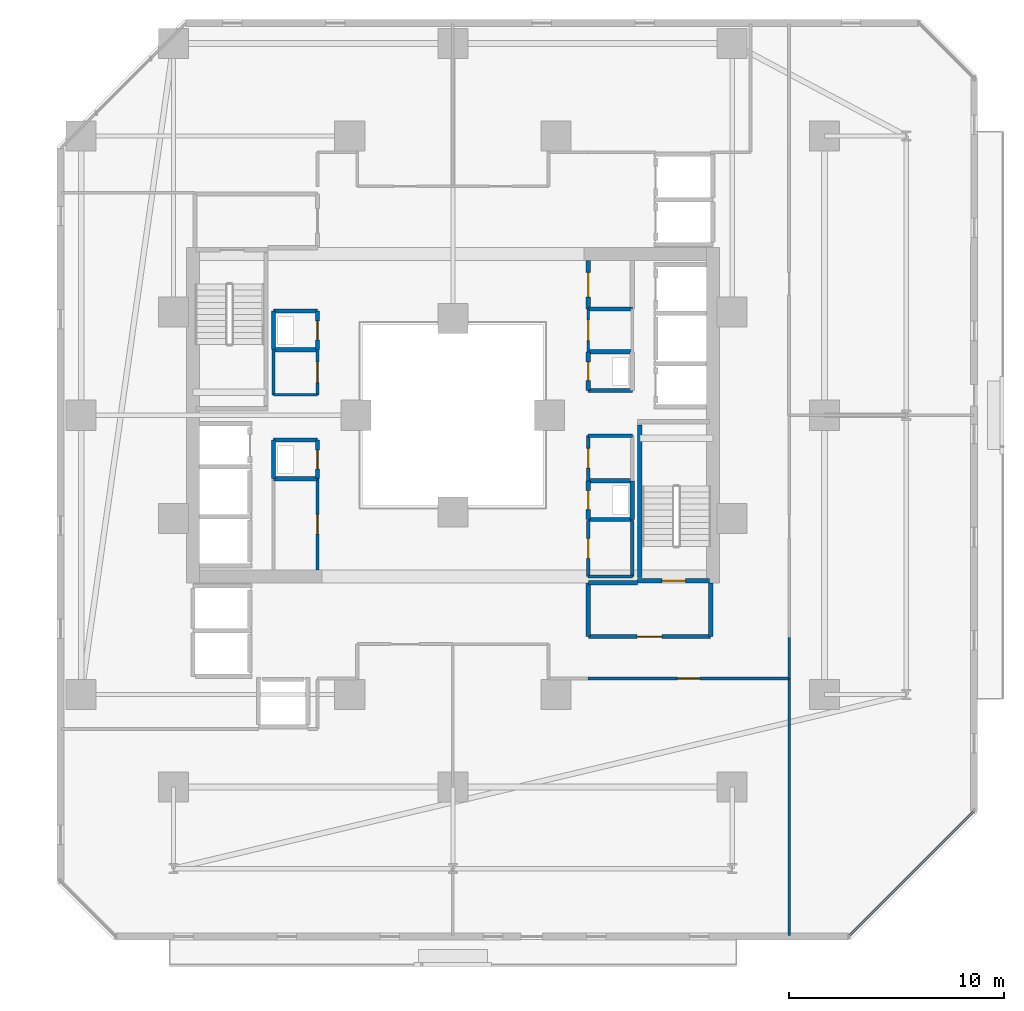
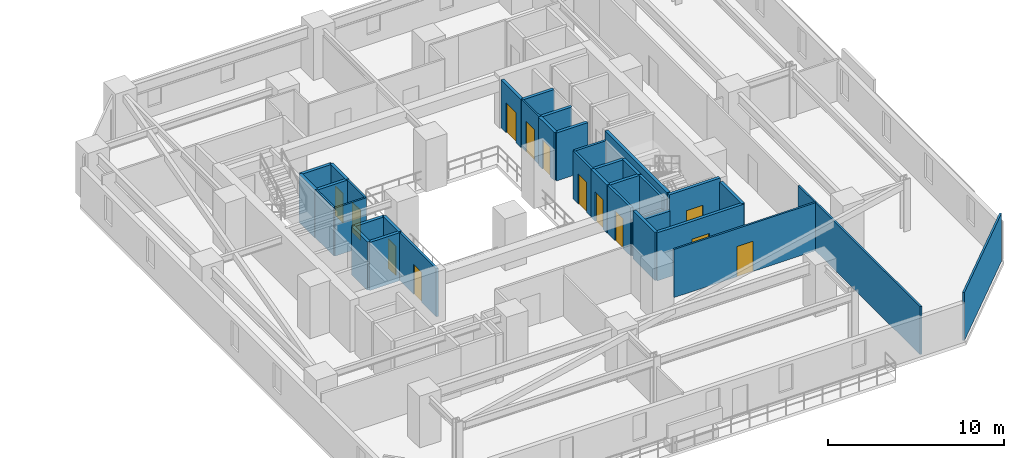
# One storey, part 23 of 33: 37 walls, 13 doors, 13 openings.
"""IFC4 building model written with IfcOpenShell, lengths in metres."""

from ifc_helpers import new_model, si_unit, direction, frame, frame_2d, origin, place, context, subcontext, project, spatial, rectangle, extrude, material, layer, layer_set, type_object, element, fill, save


model = new_model("IFC4")

# Units and contexts
model_context = context("Model", 3, precision=1e-05, world=origin(), true_north=direction((0.0, 1.0)))
body_context = subcontext(model_context, "Body", "Model", "MODEL_VIEW")
ifc_project = project(units=[si_unit("LENGTHUNIT", "METRE"), si_unit("AREAUNIT", "SQUARE_METRE"), si_unit("VOLUMEUNIT", "CUBIC_METRE"), si_unit("PLANEANGLEUNIT", "RADIAN"), si_unit("MASSUNIT", "GRAM", prefix="KILO")], contexts=[model_context])

# Site, building, storey
site_placement = place(None, origin())
site = spatial("IfcSite", under=ifc_project, at=site_placement, CompositionType="ELEMENT")
building_placement = place(site_placement, origin())
building = spatial("IfcBuilding", under=site, at=building_placement, Name="Thornwick Lancets Civic Towers", CompositionType="ELEMENT")
storey_placement = place(building_placement, frame((0.0, 0.0, 31.5)))
storey = spatial("IfcBuildingStorey", under=building, at=storey_placement, Name="L07", CompositionType="ELEMENT", Elevation=31.5)

# Wall, opening, door
ifc_material_1 = material(Name="Concrete blockwork C40/50", Category="masonry")
ifc_layer_1 = layer(ifc_material_1, 0.199951171875, Name="Concrete blockwork C40/50")
ifc_layer_set_1 = layer_set([ifc_layer_1], Name="Concrete blockwork C40/50")
wall_type_1 = type_object("IfcWallType", Name="WALL_COMP_200", PredefinedType="STANDARD", material=ifc_layer_set_1)
wall_1_placement = place(storey_placement, frame((94.800048828125, 16.699951171875, 0.0), z_axis=(0.0, 0.0, 1.0), x_axis=(1.0, 0.0, 0.0)))
wall_1 = element("IfcWall", 1, at=wall_1_placement, inside=storey, type_object=wall_type_1, Name="L07 Partition L07-B-FFLOB1 E1", PredefinedType="STANDARD", context=body_context, shape_type="SweptSolid", body=[
    extrude(rectangle(XDim=5.699951171875, YDim=0.199951171875, at=frame_2d((2.85009765625, 0.0))), origin(), (0.0, 0.0, 1.0), 3.340087890625),
])
opening_1_placement = place(wall_1_placement, frame((2.27490234375, 0.0, 0.0)))
opening_1 = element("IfcOpeningElement", 2, at=opening_1_placement, cuts=wall_1, Name="Opening D-L07-0373", PredefinedType="OPENING", context=body_context, shape_type="SweptSolid", body=[
    extrude(rectangle(XDim=1.14990234375, YDim=2.10009765625, at=frame_2d((0.574951171875, 1.050048828125))), frame((0.0, 0.10986328125, 0.0), z_axis=(0.0, -1.0, 0.0), x_axis=(1.0, 0.0, 0.0)), (0.0, 0.0, 1.0), 0.219970703125),
])
ifc_material_2 = material(Name="Glazed fire-resisting steel", Category="steel")
door_type_1 = type_object("IfcDoorType", Name="DOOR_LOBBY_FD60", OperationType="NOTDEFINED", PredefinedType="DOOR", material=ifc_material_2)
door_1_placement = place(opening_1_placement, origin())
door_1 = element("IfcDoor", 3, at=door_1_placement, inside=storey, type_object=door_type_1, Name="L07 East Firefighting Lobby 1 Door", OperationType="SINGLE_SWING_RIGHT", OverallHeight=2.10009765625, OverallWidth=1.14990234375, PredefinedType="DOOR", context=body_context, shape_type="SweptSolid", body=[
    extrude(rectangle(XDim=1.14990234375, YDim=2.10009765625, at=frame_2d((0.574951171875, 1.050048828125))), frame((0.0, 0.02490234375, 0.0), z_axis=(0.0, -1.0, 0.0), x_axis=(1.0, 0.0, 0.0)), (0.0, 0.0, 1.0), 0.050048828125),
])
fill(opening_1, door_1)

# Walls
wall_2_placement = place(storey_placement, frame((100.5, 16.699951171875, 0.0), z_axis=(0.0, 0.0, 1.0), x_axis=(0.0, 1.0, 0.0)))
element("IfcWall", 4, at=wall_2_placement, inside=storey, type_object=wall_type_1, Name="L07 Partition L07-B-FFLOB1 E2", PredefinedType="STANDARD", context=body_context, shape_type="SweptSolid", body=[
    extrude(rectangle(XDim=2.5, YDim=0.199951171875, at=frame_2d((1.25, 0.0))), origin(), (0.0, 0.0, 1.0), 3.340087890625),
])
wall_3_placement = place(storey_placement, frame((97.10009765625, 19.199951171875, 0.0), z_axis=(0.0, 0.0, 1.0), x_axis=(-1.0, 0.0, 0.0)))
element("IfcWall", 5, at=wall_3_placement, inside=storey, type_object=wall_type_1, Name="L07 Partition L07-B-FFLOB1 E3", PredefinedType="STANDARD", context=body_context, shape_type="SweptSolid", body=[
    extrude(rectangle(XDim=2.300048828125, YDim=0.199951171875, at=frame_2d((1.14990234375, 0.0))), origin(), (0.0, 0.0, 1.0), 2.544921875),
])
wall_4_placement = place(storey_placement, frame((94.800048828125, 19.199951171875, 0.0), z_axis=(0.0, 0.0, 1.0), x_axis=(0.0, -1.0, 0.0)))
element("IfcWall", 6, at=wall_4_placement, inside=storey, type_object=wall_type_1, Name="L07 Partition L07-B-FFLOB1 E4", PredefinedType="STANDARD", context=body_context, shape_type="SweptSolid", body=[
    extrude(rectangle(XDim=2.5, YDim=0.199951171875, at=frame_2d((1.25, 0.0))), origin(), (0.0, 0.0, 1.0), 3.340087890625),
])
for number, where, z_axis, x_axis, name in (
    (7, (94.800048828125, 28.14990234375, 0.0), (0.0, 0.0, 1.0), (1.0, 0.0, 0.0), "L07 Partition L07-B-DUCT1 E1"),
    (8, (96.85009765625, 29.949951171875, 0.0), (0.0, 0.0, 1.0), (-1.0, 0.0, 0.0), "L07 Partition L07-B-DUCT1 E3"),
):
    element("IfcWall", number, at=place(storey_placement, frame(where, z_axis=z_axis, x_axis=x_axis)), inside=storey, type_object=wall_type_1, Name=name, PredefinedType="STANDARD", context=body_context, shape_type="SweptSolid", body=[
        extrude(rectangle(XDim=2.050048828125, YDim=0.199951171875, at=frame_2d((1.02490234375, 0.0))), origin(), (0.0, 0.0, 1.0), 3.340087890625),
    ])

# Wall, opening, door
wall_5_placement = place(storey_placement, frame((94.800048828125, 29.949951171875, 0.0), z_axis=(0.0, 0.0, 1.0), x_axis=(0.0, -1.0, 0.0)))
wall_5 = element("IfcWall", 9, at=wall_5_placement, inside=storey, type_object=wall_type_1, Name="L07 Partition L07-B-DUCT1 E4", PredefinedType="STANDARD", context=body_context, shape_type="SweptSolid", body=[
    extrude(rectangle(XDim=1.800048828125, YDim=0.199951171875, at=frame_2d((0.89990234375, 0.0))), origin(), (0.0, 0.0, 1.0), 3.340087890625),
])
opening_2_placement = place(wall_5_placement, frame((0.4599609375, 0.0, 0.0)))
opening_2 = element("IfcOpeningElement", 10, at=opening_2_placement, cuts=wall_5, Name="Opening D-L07-0375", PredefinedType="OPENING", context=body_context, shape_type="SweptSolid", body=[
    extrude(rectangle(XDim=0.8798828125, YDim=2.0400390625, at=frame_2d((0.43994140625, 1.02001953125))), frame((0.0, 0.10986328125, 0.0), z_axis=(0.0, -1.0, 0.0), x_axis=(1.0, 0.0, 0.0)), (0.0, 0.0, 1.0), 0.219970703125),
])
ifc_material_3 = material(Name="Steel riser access doorset", Category="steel")
door_type_2 = type_object("IfcDoorType", Name="DOOR_RISER_850", OperationType="NOTDEFINED", PredefinedType="DOOR", material=ifc_material_3)
door_2_placement = place(opening_2_placement, origin())
door_2 = element("IfcDoor", 11, at=door_2_placement, inside=storey, type_object=door_type_2, Name="L07 East Service Duct 1 Door", OperationType="SINGLE_SWING_RIGHT", OverallHeight=2.0400390625, OverallWidth=0.8798828125, PredefinedType="DOOR", context=body_context, shape_type="SweptSolid", body=[
    extrude(rectangle(XDim=0.8798828125, YDim=2.0400390625, at=frame_2d((0.43994140625, 1.02001953125))), frame((0.0, 0.02490234375, 0.0), z_axis=(0.0, -1.0, 0.0), x_axis=(1.0, 0.0, 0.0)), (0.0, 0.0, 1.0), 0.050048828125),
])
fill(opening_2, door_2)

# Walls
wall_6_placement = place(storey_placement, frame((94.800048828125, 22.14990234375, 0.0), z_axis=(0.0, 0.0, 1.0), x_axis=(1.0, 0.0, 0.0)))
element("IfcWall", 12, at=wall_6_placement, inside=storey, type_object=wall_type_1, Name="L07 Partition L07-B-RISER1 E1", PredefinedType="STANDARD", context=body_context, shape_type="SweptSolid", body=[
    extrude(rectangle(XDim=2.050048828125, YDim=0.199951171875, at=frame_2d((1.02490234375, 0.0))), origin(), (0.0, 0.0, 1.0), 3.340087890625),
])
wall_7_placement = place(storey_placement, frame((96.85009765625, 22.14990234375, 0.0), z_axis=(0.0, 0.0, 1.0), x_axis=(0.0, 1.0, 0.0)))
element("IfcWall", 13, at=wall_7_placement, inside=storey, type_object=wall_type_1, Name="L07 Partition L07-B-RISER1 E2", PredefinedType="STANDARD", context=body_context, shape_type="SweptSolid", body=[
    extrude(rectangle(XDim=1.800048828125, YDim=0.199951171875, at=frame_2d((0.89990234375, 0.0))), origin(), (0.0, 0.0, 1.0), 3.340087890625),
])
wall_8_placement = place(storey_placement, frame((96.85009765625, 23.949951171875, 0.0), z_axis=(0.0, 0.0, 1.0), x_axis=(-1.0, 0.0, 0.0)))
element("IfcWall", 14, at=wall_8_placement, inside=storey, type_object=wall_type_1, Name="L07 Partition L07-B-RISER1 E3", PredefinedType="STANDARD", context=body_context, shape_type="SweptSolid", body=[
    extrude(rectangle(XDim=2.050048828125, YDim=0.199951171875, at=frame_2d((1.02490234375, 0.0))), origin(), (0.0, 0.0, 1.0), 3.340087890625),
])

# Wall, opening, door
wall_9_placement = place(storey_placement, frame((94.800048828125, 23.949951171875, 0.0), z_axis=(0.0, 0.0, 1.0), x_axis=(0.0, -1.0, 0.0)))
wall_9 = element("IfcWall", 15, at=wall_9_placement, inside=storey, type_object=wall_type_1, Name="L07 Partition L07-B-RISER1 E4", PredefinedType="STANDARD", context=body_context, shape_type="SweptSolid", body=[
    extrude(rectangle(XDim=1.800048828125, YDim=0.199951171875, at=frame_2d((0.89990234375, 0.0))), origin(), (0.0, 0.0, 1.0), 3.340087890625),
])
opening_3_placement = place(wall_9_placement, frame((0.4599609375, 0.0, 0.0)))
opening_3 = element("IfcOpeningElement", 16, at=opening_3_placement, cuts=wall_9, Name="Opening D-L07-0376", PredefinedType="OPENING", context=body_context, shape_type="SweptSolid", body=[
    extrude(rectangle(XDim=0.8798828125, YDim=2.0400390625, at=frame_2d((0.43994140625, 1.02001953125))), frame((0.0, 0.10986328125, 0.0), z_axis=(0.0, -1.0, 0.0), x_axis=(1.0, 0.0, 0.0)), (0.0, 0.0, 1.0), 0.219970703125),
])
door_3_placement = place(opening_3_placement, origin())
door_3 = element("IfcDoor", 17, at=door_3_placement, inside=storey, type_object=door_type_2, Name="L07 East Electrical Riser 1 Door", OperationType="SINGLE_SWING_LEFT", OverallHeight=2.0400390625, OverallWidth=0.8798828125, PredefinedType="DOOR", context=body_context, shape_type="SweptSolid", body=[
    extrude(rectangle(XDim=0.8798828125, YDim=2.0400390625, at=frame_2d((0.43994140625, 1.02001953125))), frame((0.0, 0.02490234375, 0.0), z_axis=(0.0, -1.0, 0.0), x_axis=(1.0, 0.0, 0.0)), (0.0, 0.0, 1.0), 0.050048828125),
])
fill(opening_3, door_3)

# Wall
wall_10_placement = place(storey_placement, frame((80.14990234375, 24.050048828125, 0.0), z_axis=(0.0, 0.0, 1.0), x_axis=(1.0, 0.0, 0.0)))
element("IfcWall", 18, at=wall_10_placement, inside=storey, type_object=wall_type_1, Name="L07 Partition L07-B-DUCT2 E1", PredefinedType="STANDARD", context=body_context, shape_type="SweptSolid", body=[
    extrude(rectangle(XDim=2.050048828125, YDim=0.199951171875, at=frame_2d((1.02490234375, 0.0))), origin(), (0.0, 0.0, 1.0), 3.340087890625),
])

# Wall, opening, door
wall_11_placement = place(storey_placement, frame((82.199951171875, 24.050048828125, 0.0), z_axis=(0.0, 0.0, 1.0), x_axis=(0.0, 1.0, 0.0)))
wall_11 = element("IfcWall", 19, at=wall_11_placement, inside=storey, type_object=wall_type_1, Name="L07 Partition L07-B-DUCT2 E2", PredefinedType="STANDARD", context=body_context, shape_type="SweptSolid", body=[
    extrude(rectangle(XDim=1.800048828125, YDim=0.199951171875, at=frame_2d((0.89990234375, 0.0))), origin(), (0.0, 0.0, 1.0), 3.340087890625),
])
opening_4_placement = place(wall_11_placement, frame((0.4599609375, 0.0, 0.0)))
opening_4 = element("IfcOpeningElement", 20, at=opening_4_placement, cuts=wall_11, Name="Opening D-L07-0377", PredefinedType="OPENING", context=body_context, shape_type="SweptSolid", body=[
    extrude(rectangle(XDim=0.8798828125, YDim=2.0400390625, at=frame_2d((0.43994140625, 1.02001953125))), frame((0.0, 0.10986328125, 0.0), z_axis=(0.0, -1.0, 0.0), x_axis=(1.0, 0.0, 0.0)), (0.0, 0.0, 1.0), 0.219970703125),
])
door_4_placement = place(opening_4_placement, origin())
door_4 = element("IfcDoor", 21, at=door_4_placement, inside=storey, type_object=door_type_2, Name="L07 West Service Duct 2 Door", OperationType="SINGLE_SWING_RIGHT", OverallHeight=2.0400390625, OverallWidth=0.8798828125, PredefinedType="DOOR", context=body_context, shape_type="SweptSolid", body=[
    extrude(rectangle(XDim=0.8798828125, YDim=2.0400390625, at=frame_2d((0.43994140625, 1.02001953125))), frame((0.0, 0.02490234375, 0.0), z_axis=(0.0, -1.0, 0.0), x_axis=(1.0, 0.0, 0.0)), (0.0, 0.0, 1.0), 0.050048828125),
])
fill(opening_4, door_4)

# Walls
wall_12_placement = place(storey_placement, frame((82.199951171875, 25.85009765625, 0.0), z_axis=(0.0, 0.0, 1.0), x_axis=(-1.0, 0.0, 0.0)))
element("IfcWall", 22, at=wall_12_placement, inside=storey, type_object=wall_type_1, Name="L07 Partition L07-B-DUCT2 E3", PredefinedType="STANDARD", context=body_context, shape_type="SweptSolid", body=[
    extrude(rectangle(XDim=2.050048828125, YDim=0.199951171875, at=frame_2d((1.02490234375, 0.0))), origin(), (0.0, 0.0, 1.0), 3.340087890625),
])
wall_13_placement = place(storey_placement, frame((80.14990234375, 25.85009765625, 0.0), z_axis=(0.0, 0.0, 1.0), x_axis=(0.0, -1.0, 0.0)))
element("IfcWall", 23, at=wall_13_placement, inside=storey, type_object=wall_type_1, Name="L07 Partition L07-B-DUCT2 E4", PredefinedType="STANDARD", context=body_context, shape_type="SweptSolid", body=[
    extrude(rectangle(XDim=1.800048828125, YDim=0.199951171875, at=frame_2d((0.89990234375, 0.0))), origin(), (0.0, 0.0, 1.0), 3.340087890625),
])
wall_14_placement = place(storey_placement, frame((80.14990234375, 30.050048828125, 0.0), z_axis=(0.0, 0.0, 1.0), x_axis=(1.0, 0.0, 0.0)))
element("IfcWall", 24, at=wall_14_placement, inside=storey, type_object=wall_type_1, Name="L07 Partition L07-B-RISER2 E1", PredefinedType="STANDARD", context=body_context, shape_type="SweptSolid", body=[
    extrude(rectangle(XDim=2.050048828125, YDim=0.199951171875, at=frame_2d((1.02490234375, 0.0))), origin(), (0.0, 0.0, 1.0), 3.340087890625),
])

# Wall, opening, door
wall_15_placement = place(storey_placement, frame((82.199951171875, 30.050048828125, 0.0), z_axis=(0.0, 0.0, 1.0), x_axis=(0.0, 1.0, 0.0)))
wall_15 = element("IfcWall", 25, at=wall_15_placement, inside=storey, type_object=wall_type_1, Name="L07 Partition L07-B-RISER2 E2", PredefinedType="STANDARD", context=body_context, shape_type="SweptSolid", body=[
    extrude(rectangle(XDim=1.800048828125, YDim=0.199951171875, at=frame_2d((0.89990234375, 0.0))), origin(), (0.0, 0.0, 1.0), 3.340087890625),
])
opening_5_placement = place(wall_15_placement, frame((0.4599609375, 0.0, 0.0)))
opening_5 = element("IfcOpeningElement", 26, at=opening_5_placement, cuts=wall_15, Name="Opening D-L07-0378", PredefinedType="OPENING", context=body_context, shape_type="SweptSolid", body=[
    extrude(rectangle(XDim=0.8798828125, YDim=2.0400390625, at=frame_2d((0.43994140625, 1.02001953125))), frame((0.0, 0.10986328125, 0.0), z_axis=(0.0, -1.0, 0.0), x_axis=(1.0, 0.0, 0.0)), (0.0, 0.0, 1.0), 0.219970703125),
])
door_5_placement = place(opening_5_placement, origin())
door_5 = element("IfcDoor", 27, at=door_5_placement, inside=storey, type_object=door_type_2, Name="L07 West Service Riser 2 Door", OperationType="SINGLE_SWING_LEFT", OverallHeight=2.0400390625, OverallWidth=0.8798828125, PredefinedType="DOOR", context=body_context, shape_type="SweptSolid", body=[
    extrude(rectangle(XDim=0.8798828125, YDim=2.0400390625, at=frame_2d((0.43994140625, 1.02001953125))), frame((0.0, 0.02490234375, 0.0), z_axis=(0.0, -1.0, 0.0), x_axis=(1.0, 0.0, 0.0)), (0.0, 0.0, 1.0), 0.050048828125),
])
fill(opening_5, door_5)

# Walls
wall_16_placement = place(storey_placement, frame((82.199951171875, 31.85009765625, 0.0), z_axis=(0.0, 0.0, 1.0), x_axis=(-1.0, 0.0, 0.0)))
element("IfcWall", 28, at=wall_16_placement, inside=storey, type_object=wall_type_1, Name="L07 Partition L07-B-RISER2 E3", PredefinedType="STANDARD", context=body_context, shape_type="SweptSolid", body=[
    extrude(rectangle(XDim=2.050048828125, YDim=0.199951171875, at=frame_2d((1.02490234375, 0.0))), origin(), (0.0, 0.0, 1.0), 3.340087890625),
])
wall_17_placement = place(storey_placement, frame((80.14990234375, 31.85009765625, 0.0), z_axis=(0.0, 0.0, 1.0), x_axis=(0.0, -1.0, 0.0)))
element("IfcWall", 29, at=wall_17_placement, inside=storey, type_object=wall_type_1, Name="L07 Partition L07-B-RISER2 E4", PredefinedType="STANDARD", context=body_context, shape_type="SweptSolid", body=[
    extrude(rectangle(XDim=1.800048828125, YDim=0.199951171875, at=frame_2d((0.89990234375, 0.0))), origin(), (0.0, 0.0, 1.0), 3.340087890625),
])

# Wall, opening, door
wall_18_placement = place(storey_placement, frame((94.800048828125, 31.949951171875, 0.0), z_axis=(0.0, 0.0, 1.0), x_axis=(0.0, 1.0, 0.0)))
wall_18 = element("IfcWall", 30, at=wall_18_placement, inside=storey, type_object=wall_type_1, Name="L07 Partition L07-B-ITR2 E1", PredefinedType="STANDARD", context=body_context, shape_type="SweptSolid", body=[
    extrude(rectangle(XDim=2.25, YDim=0.199951171875, at=frame_2d((1.125, 0.0))), origin(), (0.0, 0.0, 1.0), 3.340087890625),
])
opening_6_placement = place(wall_18_placement, frame((0.550048828125, 0.0, 0.0)))
opening_6 = element("IfcOpeningElement", 31, at=opening_6_placement, cuts=wall_18, Name="Opening D-L07-0382", PredefinedType="OPENING", context=body_context, shape_type="SweptSolid", body=[
    extrude(rectangle(XDim=1.14990234375, YDim=2.10009765625, at=frame_2d((0.574951171875, 1.050048828125))), frame((0.0, 0.10986328125, 0.0), z_axis=(0.0, -1.0, 0.0), x_axis=(1.0, 0.0, 0.0)), (0.0, 0.0, 1.0), 0.219970703125),
])
door_6_placement = place(opening_6_placement, origin())
door_6 = element("IfcDoor", 32, at=door_6_placement, inside=storey, type_object=door_type_1, Name="L07 Tower B Statutory Core Archive Door", OperationType="SINGLE_SWING_LEFT", OverallHeight=2.10009765625, OverallWidth=1.14990234375, PredefinedType="DOOR", context=body_context, shape_type="SweptSolid", body=[
    extrude(rectangle(XDim=1.14990234375, YDim=2.10009765625, at=frame_2d((0.574951171875, 1.050048828125))), frame((0.0, 0.02490234375, 0.0), z_axis=(0.0, -1.0, 0.0), x_axis=(1.0, 0.0, 0.0)), (0.0, 0.0, 1.0), 0.050048828125),
])
fill(opening_6, door_6)

# Wall
wall_19_placement = place(storey_placement, frame((96.85009765625, 31.949951171875, 0.0), z_axis=(0.0, 0.0, 1.0), x_axis=(-1.0, 0.0, 0.0)))
element("IfcWall", 33, at=wall_19_placement, inside=storey, type_object=wall_type_1, Name="L07 Partition L07-B-ITR2 E4", PredefinedType="STANDARD", context=body_context, shape_type="SweptSolid", body=[
    extrude(rectangle(XDim=2.050048828125, YDim=0.199951171875, at=frame_2d((1.02490234375, 0.0))), origin(), (0.0, 0.0, 1.0), 3.340087890625),
])

# Wall, opening, door
ifc_material_4 = material(Name="Lightweight cellular office partition")
ifc_layer_2 = layer(ifc_material_4, 0.10009765625, Name="Lightweight cellular office partition")
ifc_layer_set_2 = layer_set([ifc_layer_2], Name="Lightweight cellular office partition")
wall_type_2 = type_object("IfcWallType", Name="WALL_PART_100", PredefinedType="PARTITIONING", material=ifc_layer_set_2)
wall_20_placement = place(storey_placement, frame((94.800048828125, 29.949951171875, 0.0), z_axis=(0.0, 0.0, 1.0), x_axis=(0.0, 1.0, 0.0)))
wall_20 = element("IfcWall", 34, at=wall_20_placement, inside=storey, type_object=wall_type_2, Name="L07 Partition L07-B-CLN E1", PredefinedType="PARTITIONING", context=body_context, shape_type="SweptSolid", body=[
    extrude(rectangle(XDim=2.0, YDim=0.10009765625, at=frame_2d((1.0, 0.0))), origin(), (0.0, 0.0, 1.0), 3.340087890625),
])
opening_7_placement = place(wall_20_placement, frame((0.52490234375, 0.0, 0.0)))
opening_7 = element("IfcOpeningElement", 35, at=opening_7_placement, cuts=wall_20, Name="Opening D-L07-0381", PredefinedType="OPENING", context=body_context, shape_type="SweptSolid", body=[
    extrude(rectangle(XDim=0.949951171875, YDim=2.10009765625, at=frame_2d((0.47509765625, 1.050048828125))), frame((0.0, 0.06005859375, 0.0), z_axis=(0.0, -1.0, 0.0), x_axis=(1.0, 0.0, 0.0)), (0.0, 0.0, 1.0), 0.1201171875),
])
ifc_material_5 = material(Name="European oak acoustic doorset")
door_type_3 = type_object("IfcDoorType", Name="DOOR_OFFICE_950", OperationType="NOTDEFINED", PredefinedType="DOOR", material=ifc_material_5)
door_7_placement = place(opening_7_placement, origin())
door_7 = element("IfcDoor", 36, at=door_7_placement, inside=storey, type_object=door_type_3, Name="L07 Tower B Cleaners Store Door", OperationType="SINGLE_SWING_RIGHT", OverallHeight=2.10009765625, OverallWidth=0.949951171875, PredefinedType="DOOR", context=body_context, shape_type="SweptSolid", body=[
    extrude(rectangle(XDim=0.949951171875, YDim=2.10009765625, at=frame_2d((0.47509765625, 1.050048828125))), frame((0.0, 0.02490234375, 0.0), z_axis=(0.0, -1.0, 0.0), x_axis=(1.0, 0.0, 0.0)), (0.0, 0.0, 1.0), 0.050048828125),
])
fill(opening_7, door_7)

# Walls
ifc_material_6 = material(Name="Acoustic gypsum board partition")
ifc_layer_3 = layer(ifc_material_6, 0.1201171875, Name="Acoustic gypsum board partition")
ifc_layer_set_3 = layer_set([ifc_layer_3], Name="Acoustic gypsum board partition")
wall_type_3 = type_object("IfcWallType", Name="WALL_PART_120", PredefinedType="PARTITIONING", material=ifc_layer_set_3)
wall_21_placement = place(storey_placement, frame((82.199951171875, 27.949951171875, 0.0), z_axis=(0.0, 0.0, 1.0), x_axis=(-1.0, 0.0, 0.0)))
element("IfcWall", 37, at=wall_21_placement, inside=storey, type_object=wall_type_3, Name="L07 Partition L07-B-ITR E1", PredefinedType="PARTITIONING", context=body_context, shape_type="SweptSolid", body=[
    extrude(rectangle(XDim=2.050048828125, YDim=0.1201171875, at=frame_2d((1.02490234375, 0.0))), origin(), (0.0, 0.0, 1.0), 3.340087890625),
])
wall_22_placement = place(storey_placement, frame((80.14990234375, 27.949951171875, 0.0), z_axis=(0.0, 0.0, 1.0), x_axis=(0.0, 1.0, 0.0)))
element("IfcWall", 38, at=wall_22_placement, inside=storey, type_object=wall_type_3, Name="L07 Partition L07-B-ITR E2", PredefinedType="PARTITIONING", context=body_context, shape_type="SweptSolid", body=[
    extrude(rectangle(XDim=2.10009765625, YDim=0.1201171875, at=frame_2d((1.050048828125, 0.0))), origin(), (0.0, 0.0, 1.0), 3.340087890625),
])

# Wall, opening, door
wall_23_placement = place(storey_placement, frame((82.199951171875, 30.050048828125, 0.0), z_axis=(0.0, 0.0, 1.0), x_axis=(0.0, -1.0, 0.0)))
wall_23 = element("IfcWall", 39, at=wall_23_placement, inside=storey, type_object=wall_type_3, Name="L07 Partition L07-B-ITR E4", PredefinedType="PARTITIONING", context=body_context, shape_type="SweptSolid", body=[
    extrude(rectangle(XDim=2.10009765625, YDim=0.1201171875, at=frame_2d((1.050048828125, 0.0))), origin(), (0.0, 0.0, 1.0), 3.340087890625),
])
opening_8_placement = place(wall_23_placement, frame((0.574951171875, 0.0, 0.0)))
opening_8 = element("IfcOpeningElement", 40, at=opening_8_placement, cuts=wall_23, Name="Opening D-L07-0384", PredefinedType="OPENING", context=body_context, shape_type="SweptSolid", body=[
    extrude(rectangle(XDim=0.949951171875, YDim=2.10009765625, at=frame_2d((0.47509765625, 1.050048828125))), frame((0.0, 0.070068359375, 0.0), z_axis=(0.0, -1.0, 0.0), x_axis=(1.0, 0.0, 0.0)), (0.0, 0.0, 1.0), 0.14013671875),
])
door_8_placement = place(opening_8_placement, origin())
door_8 = element("IfcDoor", 41, at=door_8_placement, inside=storey, type_object=door_type_3, Name="L07 Tower B Comms Patch Room Door", OperationType="SINGLE_SWING_LEFT", OverallHeight=2.10009765625, OverallWidth=0.949951171875, PredefinedType="DOOR", context=body_context, shape_type="SweptSolid", body=[
    extrude(rectangle(XDim=0.949951171875, YDim=2.10009765625, at=frame_2d((0.47509765625, 1.050048828125))), frame((0.0, 0.02490234375, 0.0), z_axis=(0.0, -1.0, 0.0), x_axis=(1.0, 0.0, 0.0)), (0.0, 0.0, 1.0), 0.050048828125),
])
fill(opening_8, door_8)

wall_24_placement = place(storey_placement, frame((94.800048828125, 14.75, 0.0), z_axis=(0.0, 0.0, 1.0), x_axis=(1.0, 0.0, 0.0)))
wall_24 = element("IfcWall", 42, at=wall_24_placement, inside=storey, type_object=wall_type_3, Name="L07 Partition L07-B-W1 E3", PredefinedType="PARTITIONING", context=body_context, shape_type="SweptSolid", body=[
    extrude(rectangle(XDim=9.349853515625, YDim=0.1201171875, at=frame_2d((4.6748046875, 0.0))), origin(), (0.0, 0.0, 1.0), 3.340087890625),
])
opening_9_placement = place(wall_24_placement, frame((4.14990234375, 0.0, 0.0)))
opening_9 = element("IfcOpeningElement", 43, at=opening_9_placement, cuts=wall_24, Name="Opening D-L07-0391", PredefinedType="OPENING", context=body_context, shape_type="SweptSolid", body=[
    extrude(rectangle(XDim=1.050048828125, YDim=2.10009765625, at=frame_2d((0.52490234375, 1.050048828125))), frame((0.0, 0.070068359375, 0.0), z_axis=(0.0, -1.0, 0.0), x_axis=(1.0, 0.0, 0.0)), (0.0, 0.0, 1.0), 0.14013671875),
])
ifc_material_7 = material(Name="Glazed European oak executive doorset")
door_type_4 = type_object("IfcDoorType", Name="DOOR_OFFICE_1050", OperationType="NOTDEFINED", PredefinedType="DOOR", material=ifc_material_7)
door_9_placement = place(opening_9_placement, origin())
door_9 = element("IfcDoor", 44, at=door_9_placement, inside=storey, type_object=door_type_4, Name="L07 Tower B Ministry Directorate Office W1 Door", OperationType="SINGLE_SWING_RIGHT", OverallHeight=2.10009765625, OverallWidth=1.050048828125, PredefinedType="DOOR", context=body_context, shape_type="SweptSolid", body=[
    extrude(rectangle(XDim=1.050048828125, YDim=2.10009765625, at=frame_2d((0.52490234375, 1.050048828125))), frame((0.0, 0.02490234375, 0.0), z_axis=(0.0, -1.0, 0.0), x_axis=(1.0, 0.0, 0.0)), (0.0, 0.0, 1.0), 0.050048828125),
])
fill(opening_9, door_9)

# Walls
wall_25_placement = place(storey_placement, frame((104.14990234375, 14.75, 0.0), z_axis=(0.0, 0.0, 1.0), x_axis=(0.0, -1.0, 0.0)))
element("IfcWall", 45, at=wall_25_placement, inside=storey, type_object=wall_type_3, Name="L07 Partition L07-B-W1 E4", PredefinedType="PARTITIONING", context=body_context, shape_type="SweptSolid", body=[
    extrude(rectangle(XDim=11.969970703125, YDim=0.1201171875, at=frame_2d((5.98486328125, 0.0))), origin(), (0.0, 0.0, 1.0), 3.340087890625),
])
wall_26_placement = place(storey_placement, frame((104.14990234375, 14.75, 0.0), z_axis=(0.0, 0.0, 1.0), x_axis=(0.0, 1.0, 0.0)))
element("IfcWall", 46, at=wall_26_placement, inside=storey, type_object=wall_type_3, Name="L07 Partition L07-B-S-OFF E3", PredefinedType="PARTITIONING", context=body_context, shape_type="SweptSolid", body=[
    extrude(rectangle(XDim=1.89990234375, YDim=0.1201171875, at=frame_2d((0.949951171875, 0.0))), origin(), (0.0, 0.0, 1.0), 3.340087890625),
])
wall_27_placement = place(storey_placement, frame((112.719970703125, 8.547607421875, 0.0), z_axis=(0.0, 0.0, 1.0), x_axis=(-0.707106781187, -0.707106781187, 0.0)))
element("IfcWall", 47, at=wall_27_placement, inside=storey, type_object=wall_type_3, Name="L07 Partition L07-B-S-OFF E7", PredefinedType="PARTITIONING", context=body_context, shape_type="SweptSolid", body=[
    extrude(rectangle(XDim=8.156494140625, YDim=0.1201171875, at=frame_2d((4.078125, 0.0))), origin(), (0.0, 0.0, 1.0), 3.340087890625),
])
ifc_material_8 = material(Name="Twin-stud acoustic gypsum board")
ifc_layer_4 = layer(ifc_material_8, 0.14990234375, Name="Twin-stud acoustic gypsum board")
ifc_layer_set_4 = layer_set([ifc_layer_4], Name="Twin-stud acoustic gypsum board")
wall_type_4 = type_object("IfcWallType", Name="WALL_PART_150", PredefinedType="PARTITIONING", material=ifc_layer_set_4)
wall_28_placement = place(storey_placement, frame((94.800048828125, 19.5, 0.0), z_axis=(0.0, 0.0, 1.0), x_axis=(1.0, 0.0, 0.0)))
element("IfcWall", 48, at=wall_28_placement, inside=storey, type_object=wall_type_4, Name="L07 Partition L07-B-MWC E1", PredefinedType="PARTITIONING", context=body_context, shape_type="SweptSolid", body=[
    extrude(rectangle(XDim=2.050048828125, YDim=0.14990234375, at=frame_2d((1.02490234375, 0.0))), origin(), (0.0, 0.0, 1.0), 2.544921875),
])
wall_29_placement = place(storey_placement, frame((96.85009765625, 19.5, 0.0), z_axis=(0.0, 0.0, 1.0), x_axis=(0.0, 1.0, 0.0)))
element("IfcWall", 49, at=wall_29_placement, inside=storey, type_object=wall_type_4, Name="L07 Partition L07-B-MWC E2", PredefinedType="PARTITIONING", context=body_context, shape_type="SweptSolid", body=[
    extrude(rectangle(XDim=2.60009765625, YDim=0.14990234375, at=frame_2d((1.300048828125, 0.0))), origin(), (0.0, 0.0, 1.0), 3.340087890625),
])

# Wall, opening, door
wall_30_placement = place(storey_placement, frame((94.800048828125, 22.10009765625, 0.0), z_axis=(0.0, 0.0, 1.0), x_axis=(0.0, -1.0, 0.0)))
wall_30 = element("IfcWall", 50, at=wall_30_placement, inside=storey, type_object=wall_type_4, Name="L07 Partition L07-B-MWC E4", PredefinedType="PARTITIONING", context=body_context, shape_type="SweptSolid", body=[
    extrude(rectangle(XDim=2.60009765625, YDim=0.14990234375, at=frame_2d((1.300048828125, 0.0))), origin(), (0.0, 0.0, 1.0), 3.340087890625),
])
opening_10_placement = place(wall_30_placement, frame((0.840087890625, 0.0, 0.0)))
opening_10 = element("IfcOpeningElement", 51, at=opening_10_placement, cuts=wall_30, Name="Opening D-L07-0379", PredefinedType="OPENING", context=body_context, shape_type="SweptSolid", body=[
    extrude(rectangle(XDim=0.919921875, YDim=2.080078125, at=frame_2d((0.4599609375, 1.0400390625))), frame((0.0, 0.0849609375, 0.0), z_axis=(0.0, -1.0, 0.0), x_axis=(1.0, 0.0, 0.0)), (0.0, 0.0, 1.0), 0.169921875),
])
ifc_material_9 = material(Name="Moisture-resistant oak doorset")
door_type_5 = type_object("IfcDoorType", Name="DOOR_WC_900", OperationType="NOTDEFINED", PredefinedType="DOOR", material=ifc_material_9)
door_10_placement = place(opening_10_placement, origin())
door_10 = element("IfcDoor", 52, at=door_10_placement, inside=storey, type_object=door_type_5, Name="L07 Tower B Male WC Door", OperationType="SINGLE_SWING_RIGHT", OverallHeight=2.080078125, OverallWidth=0.919921875, PredefinedType="DOOR", context=body_context, shape_type="SweptSolid", body=[
    extrude(rectangle(XDim=0.919921875, YDim=2.080078125, at=frame_2d((0.4599609375, 1.0400390625))), frame((0.0, 0.02490234375, 0.0), z_axis=(0.0, -1.0, 0.0), x_axis=(1.0, 0.0, 0.0)), (0.0, 0.0, 1.0), 0.050048828125),
])
fill(opening_10, door_10)

wall_31_placement = place(storey_placement, frame((94.800048828125, 23.949951171875, 0.0), z_axis=(0.0, 0.0, 1.0), x_axis=(0.0, 1.0, 0.0)))
wall_31 = element("IfcWall", 53, at=wall_31_placement, inside=storey, type_object=wall_type_4, Name="L07 Partition L07-B-AWC E1", PredefinedType="PARTITIONING", context=body_context, shape_type="SweptSolid", body=[
    extrude(rectangle(XDim=2.10009765625, YDim=0.14990234375, at=frame_2d((1.050048828125, 0.0))), origin(), (0.0, 0.0, 1.0), 3.340087890625),
])
opening_11_placement = place(wall_31_placement, frame((0.590087890625, 0.0, 0.0)))
opening_11 = element("IfcOpeningElement", 54, at=opening_11_placement, cuts=wall_31, Name="Opening D-L07-0380", PredefinedType="OPENING", context=body_context, shape_type="SweptSolid", body=[
    extrude(rectangle(XDim=0.919921875, YDim=2.080078125, at=frame_2d((0.4599609375, 1.0400390625))), frame((0.0, 0.0849609375, 0.0), z_axis=(0.0, -1.0, 0.0), x_axis=(1.0, 0.0, 0.0)), (0.0, 0.0, 1.0), 0.169921875),
])
door_11_placement = place(opening_11_placement, origin())
door_11 = element("IfcDoor", 55, at=door_11_placement, inside=storey, type_object=door_type_5, Name="L07 Tower B Accessible WC Door", OperationType="SINGLE_SWING_LEFT", OverallHeight=2.080078125, OverallWidth=0.919921875, PredefinedType="DOOR", context=body_context, shape_type="SweptSolid", body=[
    extrude(rectangle(XDim=0.919921875, YDim=2.080078125, at=frame_2d((0.4599609375, 1.0400390625))), frame((0.0, 0.02490234375, 0.0), z_axis=(0.0, -1.0, 0.0), x_axis=(1.0, 0.0, 0.0)), (0.0, 0.0, 1.0), 0.050048828125),
])
fill(opening_11, door_11)

# Wall
wall_32_placement = place(storey_placement, frame((94.800048828125, 26.050048828125, 0.0), z_axis=(0.0, 0.0, 1.0), x_axis=(1.0, 0.0, 0.0)))
element("IfcWall", 56, at=wall_32_placement, inside=storey, type_object=wall_type_4, Name="L07 Partition L07-B-AWC E2", PredefinedType="PARTITIONING", context=body_context, shape_type="SweptSolid", body=[
    extrude(rectangle(XDim=2.050048828125, YDim=0.14990234375, at=frame_2d((1.02490234375, 0.0))), origin(), (0.0, 0.0, 1.0), 3.340087890625),
])

# Wall, opening, door
wall_33_placement = place(storey_placement, frame((82.199951171875, 24.050048828125, 0.0), z_axis=(0.0, 0.0, 1.0), x_axis=(0.0, -1.0, 0.0)))
wall_33 = element("IfcWall", 57, at=wall_33_placement, inside=storey, type_object=wall_type_4, Name="L07 Partition L07-B-FWC E4", PredefinedType="PARTITIONING", context=body_context, shape_type="SweptSolid", body=[
    extrude(rectangle(XDim=4.25, YDim=0.14990234375, at=frame_2d((2.125, 0.0))), origin(), (0.0, 0.0, 1.0), 3.340087890625),
])
opening_12_placement = place(wall_33_placement, frame((1.6650390625, 0.0, 0.0)))
opening_12 = element("IfcOpeningElement", 58, at=opening_12_placement, cuts=wall_33, Name="Opening D-L07-0383", PredefinedType="OPENING", context=body_context, shape_type="SweptSolid", body=[
    extrude(rectangle(XDim=0.919921875, YDim=2.080078125, at=frame_2d((0.4599609375, 1.0400390625))), frame((0.0, 0.0849609375, 0.0), z_axis=(0.0, -1.0, 0.0), x_axis=(1.0, 0.0, 0.0)), (0.0, 0.0, 1.0), 0.169921875),
])
door_12_placement = place(opening_12_placement, origin())
door_12 = element("IfcDoor", 59, at=door_12_placement, inside=storey, type_object=door_type_5, Name="L07 Tower B Female WC Door", OperationType="SINGLE_SWING_RIGHT", OverallHeight=2.080078125, OverallWidth=0.919921875, PredefinedType="DOOR", context=body_context, shape_type="SweptSolid", body=[
    extrude(rectangle(XDim=0.919921875, YDim=2.080078125, at=frame_2d((0.4599609375, 1.0400390625))), frame((0.0, 0.02490234375, 0.0), z_axis=(0.0, -1.0, 0.0), x_axis=(1.0, 0.0, 0.0)), (0.0, 0.0, 1.0), 0.050048828125),
])
fill(opening_12, door_12)

ifc_material_10 = material(Name="Concrete C40/50", Category="concrete")
ifc_layer_5 = layer(ifc_material_10, 0.199951171875, Name="Concrete C40/50")
ifc_layer_set_5 = layer_set([ifc_layer_5], Name="Concrete C40/50")
wall_type_5 = type_object("IfcWallType", Name="WALL_SHAFT_200", PredefinedType="SHEAR", material=ifc_layer_set_5)
wall_34_placement = place(storey_placement, frame((100.449951171875, 19.300048828125, 0.0), z_axis=(0.0, 0.0, 1.0), x_axis=(-1.0, 0.0, 0.0)))
wall_34 = element("IfcWall", 60, at=wall_34_placement, inside=storey, type_object=wall_type_5, Name="L07 ST-B1 Fire Stair Core Wall NEAR", PredefinedType="SHEAR", context=body_context, shape_type="SweptSolid", body=[
    extrude(rectangle(XDim=3.349853515625, YDim=0.199951171875, at=frame_2d((1.6748046875, 0.0))), origin(), (0.0, 0.0, 1.0), 3.60009765625),
])
opening_13_placement = place(wall_34_placement, frame((1.125, 0.0, 0.0)))
opening_13 = element("IfcOpeningElement", 61, at=opening_13_placement, cuts=wall_34, Name="Opening D-ST-B1-L07", PredefinedType="OPENING", context=body_context, shape_type="SweptSolid", body=[
    extrude(rectangle(XDim=1.10009765625, YDim=2.10009765625, at=frame_2d((0.550048828125, 1.050048828125))), frame((0.0, 0.10986328125, 0.0), z_axis=(0.0, -1.0, 0.0), x_axis=(1.0, 0.0, 0.0)), (0.0, 0.0, 1.0), 0.219970703125),
])
ifc_material_11 = material(Name="Fire-resisting steel and hardwood", Category="steel")
door_type_6 = type_object("IfcDoorType", Name="DOOR_STAIR_FD60", OperationType="NOTDEFINED", PredefinedType="DOOR", material=ifc_material_11)
door_13_placement = place(opening_13_placement, origin())
door_13 = element("IfcDoor", 62, at=door_13_placement, inside=storey, type_object=door_type_6, Name="L07 ST-B1 Exit Stair Door", OperationType="SINGLE_SWING_RIGHT", OverallHeight=2.10009765625, OverallWidth=1.10009765625, PredefinedType="DOOR", context=body_context, shape_type="SweptSolid", body=[
    extrude(rectangle(XDim=1.10009765625, YDim=2.10009765625, at=frame_2d((0.550048828125, 1.050048828125))), frame((0.0, 0.02490234375, 0.0), z_axis=(0.0, -1.0, 0.0), x_axis=(1.0, 0.0, 0.0)), (0.0, 0.0, 1.0), 0.050048828125),
])
fill(opening_13, door_13)

# Wall
wall_35_placement = place(storey_placement, frame((97.202880859375, 26.550048828125, 0.0), z_axis=(0.0, 0.0, 1.0), x_axis=(0.0, -1.0, 0.0)))
element("IfcWall", 63, at=wall_35_placement, inside=storey, type_object=wall_type_5, Name="L07 ST-B1 Fire Stair Core Wall RIGHT", PredefinedType="SHEAR", context=body_context, shape_type="SweptSolid", body=[
    extrude(rectangle(XDim=7.10009765625, YDim=0.199951171875, at=frame_2d((3.550048828125, 0.0))), origin(), (0.0, 0.0, 1.0), 3.60009765625),
])

save(model, "model.ifc")
